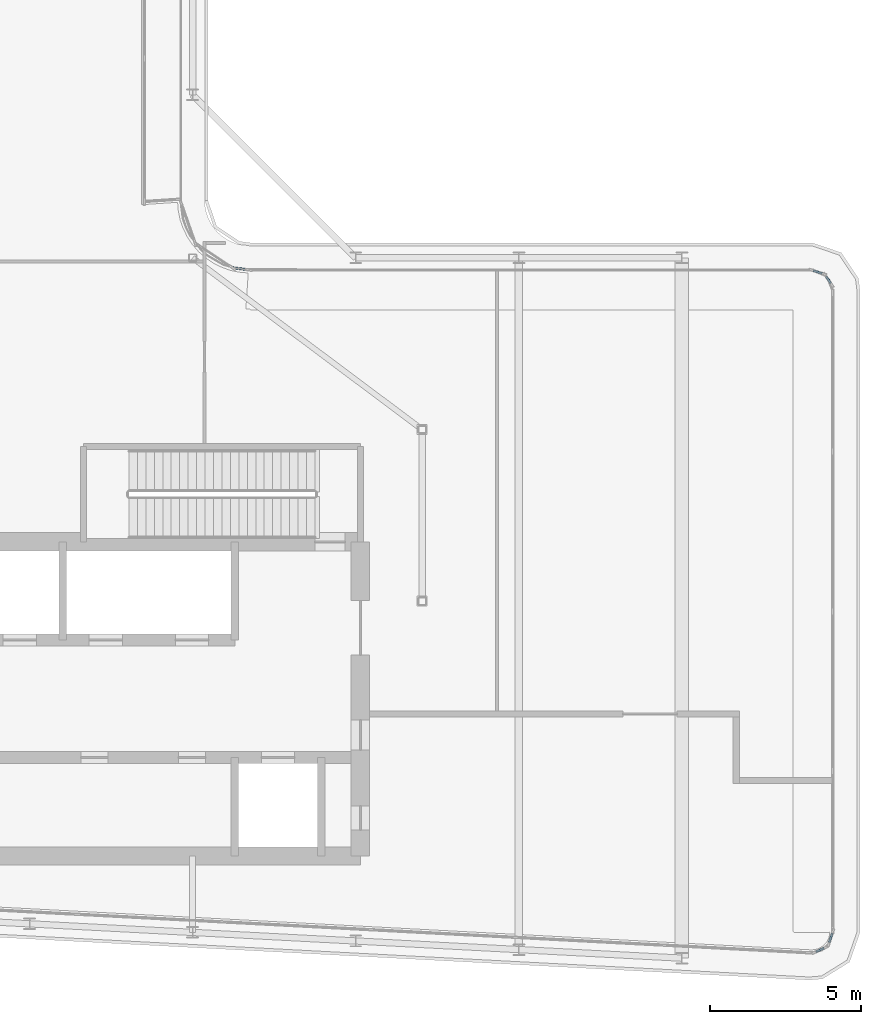
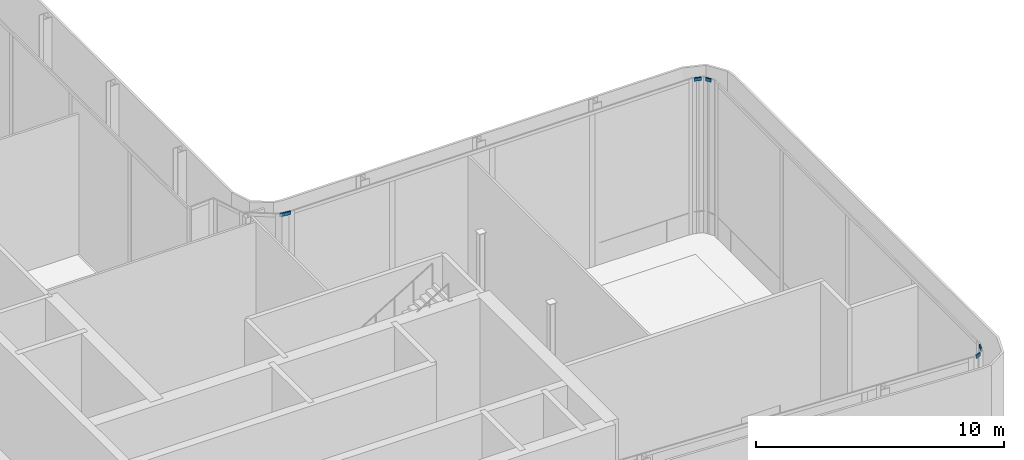
# One storey, part 13 of 28: 5 members, 5 elements without a shape of their own.
"""IFC4 building model written with IfcOpenShell, lengths in metres."""

from ifc_helpers import new_model, si_unit, direction, frame, origin, origin_2d, place, context, subcontext, project, spatial, rectangle, extrude, material, layer, layer_set, material_profile, profile_set, type_object, element, aggregate, save


model = new_model("IFC4")

# Units and contexts
model_context = context("Model", 3, precision=1e-05, world=origin(), true_north=direction((0.0, 1.0)))
body_context = subcontext(model_context, "Body", "Model", "MODEL_VIEW")
ifc_project = project(units=[si_unit("LENGTHUNIT", "METRE"), si_unit("AREAUNIT", "SQUARE_METRE"), si_unit("VOLUMEUNIT", "CUBIC_METRE"), si_unit("PLANEANGLEUNIT", "RADIAN"), si_unit("MASSUNIT", "GRAM", prefix="KILO")], contexts=[model_context])

# Site, building, storey
site_placement = place(None, origin())
site = spatial("IfcSite", under=ifc_project, at=site_placement, CompositionType="ELEMENT")
building_placement = place(site_placement, origin())
building = spatial("IfcBuilding", under=site, at=building_placement, Name="Kheshtan School and Residences Tower", CompositionType="ELEMENT")
storey_placement = place(building_placement, frame((0.0, 0.0, 325.39990234375)))
storey = spatial("IfcBuildingStorey", under=building, at=storey_placement, Name="L77", CompositionType="ELEMENT", Elevation=325.39990234375)

# Curtain wall, member
ifc_material_1 = material(Name="Clear low-e glass in thermally broken aluminium frame", Category="aluminium")
ifc_layer = layer(ifc_material_1, 0.25)
ifc_layer_set = layer_set([ifc_layer], Name="Curtain wall CW-K")
curtain_wall_type = type_object("IfcCurtainWallType", Name="Curtain wall CW-K", PredefinedType="NOTDEFINED", material=ifc_layer_set)
curtain_wall_1_placement = place(storey_placement, origin())
curtain_wall_1 = element("IfcCurtainWall", 1, at=curtain_wall_1_placement, inside=storey, type_object=curtain_wall_type, Name="Curtain wall CWK1b", PredefinedType="NOTDEFINED")
ifc_material_2 = material(Name="Thermally broken aluminium, dark bronze anodised", Category="aluminium")
ifc_material_profile = material_profile(ifc_material_2, rectangle(XDim=0.06005859375, YDim=0.159912109375, at=origin_2d()), Name="CW-K transom 60x160")
ifc_profile_set = profile_set([ifc_material_profile], Name="Thermally broken aluminium, dark bronze anodised")
member_type = type_object("IfcMemberType", Name="CW-K transom 60x160", PredefinedType="USERDEFINED", material=ifc_profile_set)
member_1_placement = place(storey_placement, frame((68.498046875, 22.7373046875, 7.570068359375), z_axis=(-0.912543137917, -0.408980465842, 0.0), x_axis=(0.408980465842, -0.912543137917, 0.0)))
member_1 = element("IfcMember", 2, at=member_1_placement, type_object=member_type, Name="CWK1b transom 1", ObjectType="TRANSOM", PredefinedType="USERDEFINED", context=body_context, shape_type="SweptSolid", body=[
    extrude(rectangle(XDim=0.06005859375, YDim=0.159912109375, at=origin_2d()), origin(), (0.0, 0.0, 1.0), 0.27880859375),
])
aggregate(curtain_wall_1, [member_1])

curtain_wall_2_placement = place(storey_placement, origin())
curtain_wall_2 = element("IfcCurtainWall", 3, at=curtain_wall_2_placement, inside=storey, type_object=curtain_wall_type, Name="Curtain wall CWK19a", PredefinedType="NOTDEFINED")
member_2_placement = place(storey_placement, frame((48.93896484375, 45.272705078125, 7.570068359375), z_axis=(0.990990637843, -0.133931160334, 0.0), x_axis=(0.133931160334, 0.990990637843, 0.0)))
member_2 = element("IfcMember", 4, at=member_2_placement, type_object=member_type, Name="CWK19a transom 1", ObjectType="TRANSOM", PredefinedType="USERDEFINED", context=body_context, shape_type="SweptSolid", body=[
    extrude(rectangle(XDim=0.06005859375, YDim=0.159912109375, at=origin_2d()), origin(), (0.0, 0.0, 1.0), 0.488525390625),
])
aggregate(curtain_wall_2, [member_2])

curtain_wall_3_placement = place(storey_placement, origin())
curtain_wall_3 = element("IfcCurtainWall", 5, at=curtain_wall_3_placement, inside=storey, type_object=curtain_wall_type, Name="Curtain wall CWK21b", PredefinedType="NOTDEFINED")
member_3_placement = place(storey_placement, frame((68.157470703125, 45.177001953125, 7.570068359375), z_axis=(0.952664316284, -0.304024177458, 0.0), x_axis=(0.304024177458, 0.952664316284, 0.0)))
member_3 = element("IfcMember", 6, at=member_3_placement, type_object=member_type, Name="CWK21b transom 1", ObjectType="TRANSOM", PredefinedType="USERDEFINED", context=body_context, shape_type="SweptSolid", body=[
    extrude(rectangle(XDim=0.06005859375, YDim=0.159912109375, at=origin_2d()), origin(), (0.0, 0.0, 1.0), 0.294677734375),
])
aggregate(curtain_wall_3, [member_3])

curtain_wall_4_placement = place(storey_placement, origin())
curtain_wall_4 = element("IfcCurtainWall", 7, at=curtain_wall_4_placement, inside=storey, type_object=curtain_wall_type, Name="Curtain wall CWK22b", PredefinedType="NOTDEFINED")
member_4_placement = place(storey_placement, frame((68.58154296875, 44.979736328125, 7.570068359375), z_axis=(0.554913962671, -0.831907743703, 0.0), x_axis=(0.831907743703, 0.554913962671, 0.0)))
member_4 = element("IfcMember", 8, at=member_4_placement, type_object=member_type, Name="CWK22b transom 1", ObjectType="TRANSOM", PredefinedType="USERDEFINED", context=body_context, shape_type="SweptSolid", body=[
    extrude(rectangle(XDim=0.06005859375, YDim=0.159912109375, at=origin_2d()), origin(), (0.0, 0.0, 1.0), 0.263427734375),
])
aggregate(curtain_wall_4, [member_4])

curtain_wall_5_placement = place(storey_placement, origin())
curtain_wall_5 = element("IfcCurtainWall", 9, at=curtain_wall_5_placement, inside=storey, type_object=curtain_wall_type, Name="Curtain wall CWK24b", PredefinedType="NOTDEFINED")
member_5_placement = place(storey_placement, frame((68.7763671875, 23.22900390625, 7.570068359375), z_axis=(-0.309518951613, -0.950893274028, 0.0), x_axis=(0.950893274028, -0.309518951613, 0.0)))
member_5 = element("IfcMember", 10, at=member_5_placement, type_object=member_type, Name="CWK24b transom 1", ObjectType="TRANSOM", PredefinedType="USERDEFINED", context=body_context, shape_type="SweptSolid", body=[
    extrude(rectangle(XDim=0.06005859375, YDim=0.159912109375, at=origin_2d()), origin(), (0.0, 0.0, 1.0), 0.30615234375),
])
aggregate(curtain_wall_5, [member_5])

save(model, "model.ifc")
